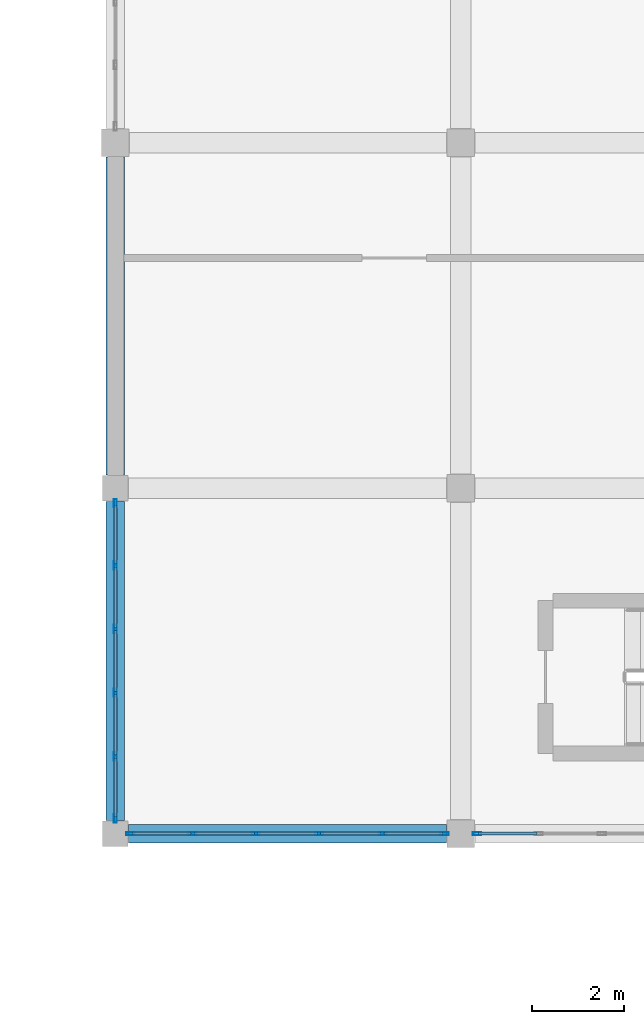
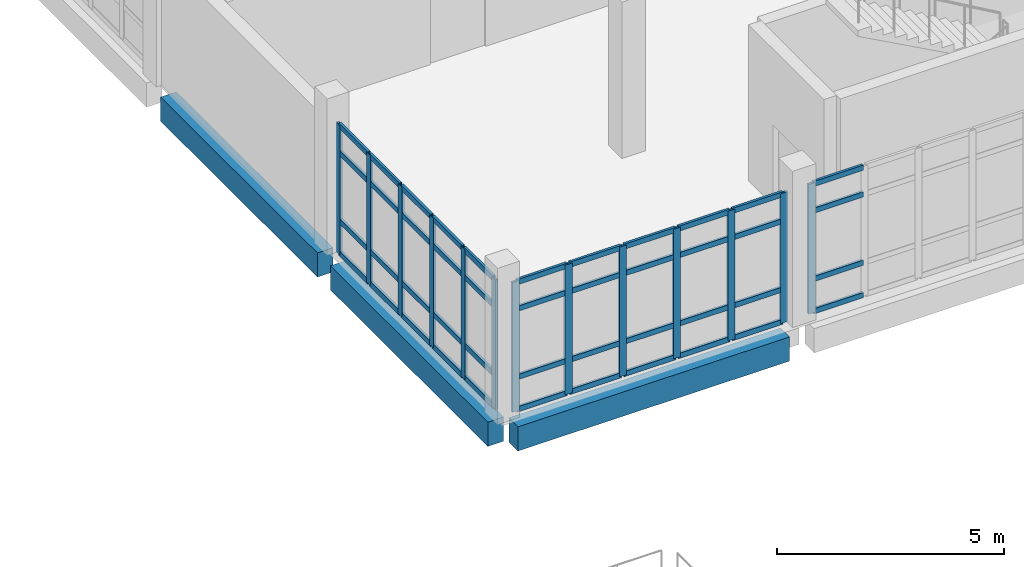
# One storey, part 73 of 164: 57 members, 3 beams, 3 elements without a shape of their own.
"""IFC4 building model written with IfcOpenShell, lengths in metres."""

from ifc_helpers import new_model, si_unit, direction, frame, origin, origin_2d, place, context, subcontext, project, spatial, rectangle, hollow_rectangle, extrude, material, layer, layer_set, material_profile, profile_set, type_object, element, aggregate, save


model = new_model("IFC4")

# Units and contexts
model_context = context("Model", 3, precision=1e-05, world=origin(), true_north=direction((0.0, 1.0)))
body_context = subcontext(model_context, "Body", "Model", "MODEL_VIEW")
ifc_project = project(units=[si_unit("LENGTHUNIT", "METRE"), si_unit("AREAUNIT", "SQUARE_METRE"), si_unit("VOLUMEUNIT", "CUBIC_METRE"), si_unit("PLANEANGLEUNIT", "RADIAN"), si_unit("MASSUNIT", "GRAM", prefix="KILO")], contexts=[model_context])

# Site, building, storey
site_placement = place(None, origin())
site = spatial("IfcSite", under=ifc_project, at=site_placement, CompositionType="ELEMENT")
building_placement = place(site_placement, origin())
building = spatial("IfcBuilding", under=site, at=building_placement, Name="Mawjan Specialist Oncology Clinic", CompositionType="ELEMENT")
storey_placement = place(building_placement, frame((0.0, 0.0, 5.0)))
storey = spatial("IfcBuildingStorey", under=building, at=storey_placement, Name="L01", CompositionType="ELEMENT", Elevation=5.0)

# Curtain wall, member
ifc_material_1 = material(Name="Unitised spectrally selective aluminium curtain wall", Category="aluminium")
ifc_layer_1 = layer(ifc_material_1, 0.179931640625, Name="Unitised spectrally selective aluminium curtain wall", Category="aluminium")
ifc_layer_set_1 = layer_set([ifc_layer_1], Name="Unitised spectrally selective aluminium curtain wall")
curtain_wall_type_1 = type_object("IfcCurtainWallType", Name="CW-60", PredefinedType="NOTDEFINED", material=ifc_layer_set_1)
curtain_wall_1_placement = place(storey_placement, origin())
curtain_wall_1 = element("IfcCurtainWall", 1, at=curtain_wall_1_placement, inside=storey, type_object=curtain_wall_type_1, Name="L01 Unitised Curtain Wall CW-L01-114", PredefinedType="NOTDEFINED")
ifc_material_2 = material(Name="Thermally broken aluminium 6063-T6", Category="aluminium")
ifc_material_profile_1 = material_profile(ifc_material_2, hollow_rectangle(XDim=0.06494140625, YDim=0.179931640625, WallThickness=0.00390625, at=origin_2d()), Name="ALU MULLION 180x65x4", Category="aluminium")
ifc_profile_set_1 = profile_set([ifc_material_profile_1], Name="Thermally broken aluminium 6063-T6")
member_type_1 = type_object("IfcMemberType", Name="CW-M180", PredefinedType="MULLION", material=ifc_profile_set_1)
member_1_placement = place(storey_placement, frame((52.8525390625, 83.300048828125, 0.0), z_axis=(0.0, 0.0, 1.0), x_axis=(0.0, -1.0, 0.0)))
member_1 = element("IfcMember", 2, at=member_1_placement, type_object=member_type_1, Name="CW-60 mullion 6", PredefinedType="MULLION", context=body_context, shape_type="SweptSolid", body=[
    extrude(hollow_rectangle(XDim=0.06494140625, YDim=0.179931640625, WallThickness=0.00390625, at=origin_2d()), origin(), (0.0, 0.0, 1.0), 3.485107421875),
])

# Curtain wall, members
ifc_material_3 = material(Name="Unitised spectrally selective aluminium curtain wall", Category="aluminium")
ifc_layer_2 = layer(ifc_material_3, 0.179931640625, Name="Unitised spectrally selective aluminium curtain wall", Category="aluminium")
ifc_layer_set_2 = layer_set([ifc_layer_2], Name="Unitised spectrally selective aluminium curtain wall")
curtain_wall_type_2 = type_object("IfcCurtainWallType", Name="CW-61", PredefinedType="NOTDEFINED", material=ifc_layer_set_2)
curtain_wall_2_placement = place(storey_placement, origin())
curtain_wall_2 = element("IfcCurtainWall", 3, at=curtain_wall_2_placement, inside=storey, type_object=curtain_wall_type_2, Name="L01 Unitised Curtain Wall CW-L01-115", PredefinedType="NOTDEFINED")
member_2_placement = place(storey_placement, frame((52.1474609375, 83.300048828125, 0.0), z_axis=(0.0, 0.0, 1.0), x_axis=(0.0, -1.0, 0.0)))
member_2 = element("IfcMember", 4, at=member_2_placement, type_object=member_type_1, Name="CW-61 mullion 1", PredefinedType="MULLION", context=body_context, shape_type="SweptSolid", body=[
    extrude(hollow_rectangle(XDim=0.06494140625, YDim=0.179931640625, WallThickness=0.00390625, at=origin_2d()), origin(), (0.0, 0.0, 1.0), 3.485107421875),
])
member_3_placement = place(storey_placement, frame((50.802978515625, 83.300048828125, 0.0), z_axis=(0.0, 0.0, 1.0), x_axis=(0.0, -1.0, 0.0)))
member_3 = element("IfcMember", 5, at=member_3_placement, type_object=member_type_1, Name="CW-61 mullion 2", PredefinedType="MULLION", context=body_context, shape_type="SweptSolid", body=[
    extrude(hollow_rectangle(XDim=0.06494140625, YDim=0.179931640625, WallThickness=0.00390625, at=origin_2d()), origin(), (0.0, 0.0, 1.0), 3.485107421875),
])
member_4_placement = place(storey_placement, frame((49.426025390625, 83.300048828125, 0.0), z_axis=(0.0, 0.0, 1.0), x_axis=(0.0, -1.0, 0.0)))
member_4 = element("IfcMember", 6, at=member_4_placement, type_object=member_type_1, Name="CW-61 mullion 3", PredefinedType="MULLION", context=body_context, shape_type="SweptSolid", body=[
    extrude(hollow_rectangle(XDim=0.06494140625, YDim=0.179931640625, WallThickness=0.00390625, at=origin_2d()), origin(), (0.0, 0.0, 1.0), 3.485107421875),
])
member_5_placement = place(storey_placement, frame((48.049072265625, 83.300048828125, 0.0), z_axis=(0.0, 0.0, 1.0), x_axis=(0.0, -1.0, 0.0)))
member_5 = element("IfcMember", 7, at=member_5_placement, type_object=member_type_1, Name="CW-61 mullion 4", PredefinedType="MULLION", context=body_context, shape_type="SweptSolid", body=[
    extrude(hollow_rectangle(XDim=0.06494140625, YDim=0.179931640625, WallThickness=0.00390625, at=origin_2d()), origin(), (0.0, 0.0, 1.0), 3.485107421875),
])
member_6_placement = place(storey_placement, frame((46.672119140625, 83.300048828125, 0.0), z_axis=(0.0, 0.0, 1.0), x_axis=(0.0, -1.0, 0.0)))
member_6 = element("IfcMember", 8, at=member_6_placement, type_object=member_type_1, Name="CW-61 mullion 5", PredefinedType="MULLION", context=body_context, shape_type="SweptSolid", body=[
    extrude(hollow_rectangle(XDim=0.06494140625, YDim=0.179931640625, WallThickness=0.00390625, at=origin_2d()), origin(), (0.0, 0.0, 1.0), 3.485107421875),
])
member_7_placement = place(storey_placement, frame((45.327392578125, 83.300048828125, 0.0), z_axis=(0.0, 0.0, 1.0), x_axis=(0.0, -1.0, 0.0)))
member_7 = element("IfcMember", 9, at=member_7_placement, type_object=member_type_1, Name="CW-61 mullion 6", PredefinedType="MULLION", context=body_context, shape_type="SweptSolid", body=[
    extrude(hollow_rectangle(XDim=0.06494140625, YDim=0.179931640625, WallThickness=0.00390625, at=origin_2d()), origin(), (0.0, 0.0, 1.0), 3.485107421875),
])

ifc_material_4 = material(Name="Unitised spectrally selective aluminium curtain wall", Category="aluminium")
ifc_layer_3 = layer(ifc_material_4, 0.179931640625, Name="Unitised spectrally selective aluminium curtain wall", Category="aluminium")
ifc_layer_set_3 = layer_set([ifc_layer_3], Name="Unitised spectrally selective aluminium curtain wall")
curtain_wall_type_3 = type_object("IfcCurtainWallType", Name="CW-52", PredefinedType="NOTDEFINED", material=ifc_layer_set_3)
curtain_wall_3_placement = place(storey_placement, origin())
curtain_wall_3 = element("IfcCurtainWall", 10, at=curtain_wall_3_placement, inside=storey, type_object=curtain_wall_type_3, Name="L01 Unitised Curtain Wall CW-L01-116", PredefinedType="NOTDEFINED")
member_8_placement = place(storey_placement, frame((45.0, 83.62744140625, 0.0), z_axis=(0.0, 0.0, 1.0), x_axis=(-1.0, 0.0, 0.0)))
member_8 = element("IfcMember", 11, at=member_8_placement, type_object=member_type_1, Name="CW-52 mullion 1", PredefinedType="MULLION", context=body_context, shape_type="SweptSolid", body=[
    extrude(hollow_rectangle(XDim=0.06494140625, YDim=0.179931640625, WallThickness=0.00390625, at=origin_2d()), origin(), (0.0, 0.0, 1.0), 3.485107421875),
])
member_9_placement = place(storey_placement, frame((45.0, 84.97705078125, 0.0), z_axis=(0.0, 0.0, 1.0), x_axis=(-1.0, 0.0, 0.0)))
member_9 = element("IfcMember", 12, at=member_9_placement, type_object=member_type_1, Name="CW-52 mullion 2", PredefinedType="MULLION", context=body_context, shape_type="SweptSolid", body=[
    extrude(hollow_rectangle(XDim=0.06494140625, YDim=0.179931640625, WallThickness=0.00390625, at=origin_2d()), origin(), (0.0, 0.0, 1.0), 3.485107421875),
])
member_10_placement = place(storey_placement, frame((45.0, 86.35888671875, 0.0), z_axis=(0.0, 0.0, 1.0), x_axis=(-1.0, 0.0, 0.0)))
member_10 = element("IfcMember", 13, at=member_10_placement, type_object=member_type_1, Name="CW-52 mullion 3", PredefinedType="MULLION", context=body_context, shape_type="SweptSolid", body=[
    extrude(hollow_rectangle(XDim=0.06494140625, YDim=0.179931640625, WallThickness=0.00390625, at=origin_2d()), origin(), (0.0, 0.0, 1.0), 3.485107421875),
])
member_11_placement = place(storey_placement, frame((45.0, 87.740966796875, 0.0), z_axis=(0.0, 0.0, 1.0), x_axis=(-1.0, 0.0, 0.0)))
member_11 = element("IfcMember", 14, at=member_11_placement, type_object=member_type_1, Name="CW-52 mullion 4", PredefinedType="MULLION", context=body_context, shape_type="SweptSolid", body=[
    extrude(hollow_rectangle(XDim=0.06494140625, YDim=0.179931640625, WallThickness=0.00390625, at=origin_2d()), origin(), (0.0, 0.0, 1.0), 3.485107421875),
])
member_12_placement = place(storey_placement, frame((45.0, 89.123046875, 0.0), z_axis=(0.0, 0.0, 1.0), x_axis=(-1.0, 0.0, 0.0)))
member_12 = element("IfcMember", 15, at=member_12_placement, type_object=member_type_1, Name="CW-52 mullion 5", PredefinedType="MULLION", context=body_context, shape_type="SweptSolid", body=[
    extrude(hollow_rectangle(XDim=0.06494140625, YDim=0.179931640625, WallThickness=0.00390625, at=origin_2d()), origin(), (0.0, 0.0, 1.0), 3.485107421875),
])
member_13_placement = place(storey_placement, frame((45.0, 90.472412109375, 0.0), z_axis=(0.0, 0.0, 1.0), x_axis=(-1.0, 0.0, 0.0)))
member_13 = element("IfcMember", 16, at=member_13_placement, type_object=member_type_1, Name="CW-52 mullion 6", PredefinedType="MULLION", context=body_context, shape_type="SweptSolid", body=[
    extrude(hollow_rectangle(XDim=0.06494140625, YDim=0.179931640625, WallThickness=0.00390625, at=origin_2d()), origin(), (0.0, 0.0, 1.0), 3.485107421875),
])

# Member
ifc_material_5 = material(Name="Thermally broken aluminium 6063-T6", Category="aluminium")
ifc_material_profile_2 = material_profile(ifc_material_5, hollow_rectangle(XDim=0.06494140625, YDim=0.139892578125, WallThickness=0.00390625, at=origin_2d()), Name="ALU TRANSOM 140x65x4", Category="aluminium")
ifc_profile_set_2 = profile_set([ifc_material_profile_2], Name="Thermally broken aluminium 6063-T6")
member_type_2 = type_object("IfcMemberType", Name="CW-T140", PredefinedType="USERDEFINED", material=ifc_profile_set_2)
member_14_placement = place(storey_placement, frame((54.159423828125, 83.300048828125, 0.032470703125), z_axis=(-1.0, 0.0, 0.0), x_axis=(0.0, -1.0, 0.0)))
member_14 = element("IfcMember", 17, at=member_14_placement, type_object=member_type_2, Name="CW-60 transom 5.1", ObjectType="TRANSOM", PredefinedType="USERDEFINED", context=body_context, shape_type="SweptSolid", body=[
    extrude(hollow_rectangle(XDim=0.06494140625, YDim=0.139892578125, WallThickness=0.00390625, at=origin_2d()), origin(), (0.0, 0.0, 1.0), 1.2744140625),
])

member_15_placement = place(storey_placement, frame((54.159423828125, 83.300048828125, 0.89990234375), z_axis=(-1.0, 0.0, 0.0), x_axis=(0.0, -1.0, 0.0)))
member_15 = element("IfcMember", 18, at=member_15_placement, type_object=member_type_2, Name="CW-60 transom 5.2", ObjectType="TRANSOM", PredefinedType="USERDEFINED", context=body_context, shape_type="SweptSolid", body=[
    extrude(hollow_rectangle(XDim=0.06494140625, YDim=0.139892578125, WallThickness=0.00390625, at=origin_2d()), origin(), (0.0, 0.0, 1.0), 1.2744140625),
])

member_16_placement = place(storey_placement, frame((54.159423828125, 83.300048828125, 2.735107421875), z_axis=(-1.0, 0.0, 0.0), x_axis=(0.0, -1.0, 0.0)))
member_16 = element("IfcMember", 19, at=member_16_placement, type_object=member_type_2, Name="CW-60 transom 5.3", ObjectType="TRANSOM", PredefinedType="USERDEFINED", context=body_context, shape_type="SweptSolid", body=[
    extrude(hollow_rectangle(XDim=0.06494140625, YDim=0.139892578125, WallThickness=0.00390625, at=origin_2d()), origin(), (0.0, 0.0, 1.0), 1.2744140625),
])

member_17_placement = place(storey_placement, frame((54.159423828125, 83.300048828125, 3.452392578125), z_axis=(-1.0, 0.0, 0.0), x_axis=(0.0, -1.0, 0.0)))
member_17 = element("IfcMember", 20, at=member_17_placement, type_object=member_type_2, Name="CW-60 transom 5.4", ObjectType="TRANSOM", PredefinedType="USERDEFINED", context=body_context, shape_type="SweptSolid", body=[
    extrude(hollow_rectangle(XDim=0.06494140625, YDim=0.139892578125, WallThickness=0.00390625, at=origin_2d()), origin(), (0.0, 0.0, 1.0), 1.2744140625),
])

aggregate(curtain_wall_1, [member_1, member_14, member_15, member_16, member_17])

member_18_placement = place(storey_placement, frame((52.114990234375, 83.300048828125, 0.032470703125), z_axis=(-1.0, 0.0, 0.0), x_axis=(0.0, -1.0, 0.0)))
member_18 = element("IfcMember", 21, at=member_18_placement, type_object=member_type_2, Name="CW-61 transom 1.1", ObjectType="TRANSOM", PredefinedType="USERDEFINED", context=body_context, shape_type="SweptSolid", body=[
    extrude(hollow_rectangle(XDim=0.06494140625, YDim=0.139892578125, WallThickness=0.00390625, at=origin_2d()), origin(), (0.0, 0.0, 1.0), 1.279541015625),
])

member_19_placement = place(storey_placement, frame((52.114990234375, 83.300048828125, 0.89990234375), z_axis=(-1.0, 0.0, 0.0), x_axis=(0.0, -1.0, 0.0)))
member_19 = element("IfcMember", 22, at=member_19_placement, type_object=member_type_2, Name="CW-61 transom 1.2", ObjectType="TRANSOM", PredefinedType="USERDEFINED", context=body_context, shape_type="SweptSolid", body=[
    extrude(hollow_rectangle(XDim=0.06494140625, YDim=0.139892578125, WallThickness=0.00390625, at=origin_2d()), origin(), (0.0, 0.0, 1.0), 1.279541015625),
])

member_20_placement = place(storey_placement, frame((52.114990234375, 83.300048828125, 2.735107421875), z_axis=(-1.0, 0.0, 0.0), x_axis=(0.0, -1.0, 0.0)))
member_20 = element("IfcMember", 23, at=member_20_placement, type_object=member_type_2, Name="CW-61 transom 1.3", ObjectType="TRANSOM", PredefinedType="USERDEFINED", context=body_context, shape_type="SweptSolid", body=[
    extrude(hollow_rectangle(XDim=0.06494140625, YDim=0.139892578125, WallThickness=0.00390625, at=origin_2d()), origin(), (0.0, 0.0, 1.0), 1.279541015625),
])

member_21_placement = place(storey_placement, frame((52.114990234375, 83.300048828125, 3.452392578125), z_axis=(-1.0, 0.0, 0.0), x_axis=(0.0, -1.0, 0.0)))
member_21 = element("IfcMember", 24, at=member_21_placement, type_object=member_type_2, Name="CW-61 transom 1.4", ObjectType="TRANSOM", PredefinedType="USERDEFINED", context=body_context, shape_type="SweptSolid", body=[
    extrude(hollow_rectangle(XDim=0.06494140625, YDim=0.139892578125, WallThickness=0.00390625, at=origin_2d()), origin(), (0.0, 0.0, 1.0), 1.279541015625),
])

member_22_placement = place(storey_placement, frame((50.7705078125, 83.300048828125, 0.032470703125), z_axis=(-1.0, 0.0, 0.0), x_axis=(0.0, -1.0, 0.0)))
member_22 = element("IfcMember", 25, at=member_22_placement, type_object=member_type_2, Name="CW-61 transom 2.1", ObjectType="TRANSOM", PredefinedType="USERDEFINED", context=body_context, shape_type="SweptSolid", body=[
    extrude(hollow_rectangle(XDim=0.06494140625, YDim=0.139892578125, WallThickness=0.00390625, at=origin_2d()), origin(), (0.0, 0.0, 1.0), 1.31201171875),
])

member_23_placement = place(storey_placement, frame((50.7705078125, 83.300048828125, 0.89990234375), z_axis=(-1.0, 0.0, 0.0), x_axis=(0.0, -1.0, 0.0)))
member_23 = element("IfcMember", 26, at=member_23_placement, type_object=member_type_2, Name="CW-61 transom 2.2", ObjectType="TRANSOM", PredefinedType="USERDEFINED", context=body_context, shape_type="SweptSolid", body=[
    extrude(hollow_rectangle(XDim=0.06494140625, YDim=0.139892578125, WallThickness=0.00390625, at=origin_2d()), origin(), (0.0, 0.0, 1.0), 1.31201171875),
])

member_24_placement = place(storey_placement, frame((50.7705078125, 83.300048828125, 2.735107421875), z_axis=(-1.0, 0.0, 0.0), x_axis=(0.0, -1.0, 0.0)))
member_24 = element("IfcMember", 27, at=member_24_placement, type_object=member_type_2, Name="CW-61 transom 2.3", ObjectType="TRANSOM", PredefinedType="USERDEFINED", context=body_context, shape_type="SweptSolid", body=[
    extrude(hollow_rectangle(XDim=0.06494140625, YDim=0.139892578125, WallThickness=0.00390625, at=origin_2d()), origin(), (0.0, 0.0, 1.0), 1.31201171875),
])

member_25_placement = place(storey_placement, frame((50.7705078125, 83.300048828125, 3.452392578125), z_axis=(-1.0, 0.0, 0.0), x_axis=(0.0, -1.0, 0.0)))
member_25 = element("IfcMember", 28, at=member_25_placement, type_object=member_type_2, Name="CW-61 transom 2.4", ObjectType="TRANSOM", PredefinedType="USERDEFINED", context=body_context, shape_type="SweptSolid", body=[
    extrude(hollow_rectangle(XDim=0.06494140625, YDim=0.139892578125, WallThickness=0.00390625, at=origin_2d()), origin(), (0.0, 0.0, 1.0), 1.31201171875),
])

member_26_placement = place(storey_placement, frame((49.3935546875, 83.300048828125, 0.032470703125), z_axis=(-1.0, 0.0, 0.0), x_axis=(0.0, -1.0, 0.0)))
member_26 = element("IfcMember", 29, at=member_26_placement, type_object=member_type_2, Name="CW-61 transom 3.1", ObjectType="TRANSOM", PredefinedType="USERDEFINED", context=body_context, shape_type="SweptSolid", body=[
    extrude(hollow_rectangle(XDim=0.06494140625, YDim=0.139892578125, WallThickness=0.00390625, at=origin_2d()), origin(), (0.0, 0.0, 1.0), 1.31201171875),
])

member_27_placement = place(storey_placement, frame((49.3935546875, 83.300048828125, 0.89990234375), z_axis=(-1.0, 0.0, 0.0), x_axis=(0.0, -1.0, 0.0)))
member_27 = element("IfcMember", 30, at=member_27_placement, type_object=member_type_2, Name="CW-61 transom 3.2", ObjectType="TRANSOM", PredefinedType="USERDEFINED", context=body_context, shape_type="SweptSolid", body=[
    extrude(hollow_rectangle(XDim=0.06494140625, YDim=0.139892578125, WallThickness=0.00390625, at=origin_2d()), origin(), (0.0, 0.0, 1.0), 1.31201171875),
])

member_28_placement = place(storey_placement, frame((49.3935546875, 83.300048828125, 2.735107421875), z_axis=(-1.0, 0.0, 0.0), x_axis=(0.0, -1.0, 0.0)))
member_28 = element("IfcMember", 31, at=member_28_placement, type_object=member_type_2, Name="CW-61 transom 3.3", ObjectType="TRANSOM", PredefinedType="USERDEFINED", context=body_context, shape_type="SweptSolid", body=[
    extrude(hollow_rectangle(XDim=0.06494140625, YDim=0.139892578125, WallThickness=0.00390625, at=origin_2d()), origin(), (0.0, 0.0, 1.0), 1.31201171875),
])

member_29_placement = place(storey_placement, frame((49.3935546875, 83.300048828125, 3.452392578125), z_axis=(-1.0, 0.0, 0.0), x_axis=(0.0, -1.0, 0.0)))
member_29 = element("IfcMember", 32, at=member_29_placement, type_object=member_type_2, Name="CW-61 transom 3.4", ObjectType="TRANSOM", PredefinedType="USERDEFINED", context=body_context, shape_type="SweptSolid", body=[
    extrude(hollow_rectangle(XDim=0.06494140625, YDim=0.139892578125, WallThickness=0.00390625, at=origin_2d()), origin(), (0.0, 0.0, 1.0), 1.31201171875),
])

member_30_placement = place(storey_placement, frame((48.0166015625, 83.300048828125, 0.032470703125), z_axis=(-1.0, 0.0, 0.0), x_axis=(0.0, -1.0, 0.0)))
member_30 = element("IfcMember", 33, at=member_30_placement, type_object=member_type_2, Name="CW-61 transom 4.1", ObjectType="TRANSOM", PredefinedType="USERDEFINED", context=body_context, shape_type="SweptSolid", body=[
    extrude(hollow_rectangle(XDim=0.06494140625, YDim=0.139892578125, WallThickness=0.00390625, at=origin_2d()), origin(), (0.0, 0.0, 1.0), 1.31201171875),
])

member_31_placement = place(storey_placement, frame((48.0166015625, 83.300048828125, 0.89990234375), z_axis=(-1.0, 0.0, 0.0), x_axis=(0.0, -1.0, 0.0)))
member_31 = element("IfcMember", 34, at=member_31_placement, type_object=member_type_2, Name="CW-61 transom 4.2", ObjectType="TRANSOM", PredefinedType="USERDEFINED", context=body_context, shape_type="SweptSolid", body=[
    extrude(hollow_rectangle(XDim=0.06494140625, YDim=0.139892578125, WallThickness=0.00390625, at=origin_2d()), origin(), (0.0, 0.0, 1.0), 1.31201171875),
])

member_32_placement = place(storey_placement, frame((48.0166015625, 83.300048828125, 2.735107421875), z_axis=(-1.0, 0.0, 0.0), x_axis=(0.0, -1.0, 0.0)))
member_32 = element("IfcMember", 35, at=member_32_placement, type_object=member_type_2, Name="CW-61 transom 4.3", ObjectType="TRANSOM", PredefinedType="USERDEFINED", context=body_context, shape_type="SweptSolid", body=[
    extrude(hollow_rectangle(XDim=0.06494140625, YDim=0.139892578125, WallThickness=0.00390625, at=origin_2d()), origin(), (0.0, 0.0, 1.0), 1.31201171875),
])

member_33_placement = place(storey_placement, frame((48.0166015625, 83.300048828125, 3.452392578125), z_axis=(-1.0, 0.0, 0.0), x_axis=(0.0, -1.0, 0.0)))
member_33 = element("IfcMember", 36, at=member_33_placement, type_object=member_type_2, Name="CW-61 transom 4.4", ObjectType="TRANSOM", PredefinedType="USERDEFINED", context=body_context, shape_type="SweptSolid", body=[
    extrude(hollow_rectangle(XDim=0.06494140625, YDim=0.139892578125, WallThickness=0.00390625, at=origin_2d()), origin(), (0.0, 0.0, 1.0), 1.31201171875),
])

member_34_placement = place(storey_placement, frame((46.639404296875, 83.300048828125, 0.032470703125), z_axis=(-1.0, 0.0, 0.0), x_axis=(0.0, -1.0, 0.0)))
member_34 = element("IfcMember", 37, at=member_34_placement, type_object=member_type_2, Name="CW-61 transom 5.1", ObjectType="TRANSOM", PredefinedType="USERDEFINED", context=body_context, shape_type="SweptSolid", body=[
    extrude(hollow_rectangle(XDim=0.06494140625, YDim=0.139892578125, WallThickness=0.00390625, at=origin_2d()), origin(), (0.0, 0.0, 1.0), 1.279296875),
])

member_35_placement = place(storey_placement, frame((46.639404296875, 83.300048828125, 0.89990234375), z_axis=(-1.0, 0.0, 0.0), x_axis=(0.0, -1.0, 0.0)))
member_35 = element("IfcMember", 38, at=member_35_placement, type_object=member_type_2, Name="CW-61 transom 5.2", ObjectType="TRANSOM", PredefinedType="USERDEFINED", context=body_context, shape_type="SweptSolid", body=[
    extrude(hollow_rectangle(XDim=0.06494140625, YDim=0.139892578125, WallThickness=0.00390625, at=origin_2d()), origin(), (0.0, 0.0, 1.0), 1.279296875),
])

member_36_placement = place(storey_placement, frame((46.639404296875, 83.300048828125, 2.735107421875), z_axis=(-1.0, 0.0, 0.0), x_axis=(0.0, -1.0, 0.0)))
member_36 = element("IfcMember", 39, at=member_36_placement, type_object=member_type_2, Name="CW-61 transom 5.3", ObjectType="TRANSOM", PredefinedType="USERDEFINED", context=body_context, shape_type="SweptSolid", body=[
    extrude(hollow_rectangle(XDim=0.06494140625, YDim=0.139892578125, WallThickness=0.00390625, at=origin_2d()), origin(), (0.0, 0.0, 1.0), 1.279296875),
])

member_37_placement = place(storey_placement, frame((46.639404296875, 83.300048828125, 3.452392578125), z_axis=(-1.0, 0.0, 0.0), x_axis=(0.0, -1.0, 0.0)))
member_37 = element("IfcMember", 40, at=member_37_placement, type_object=member_type_2, Name="CW-61 transom 5.4", ObjectType="TRANSOM", PredefinedType="USERDEFINED", context=body_context, shape_type="SweptSolid", body=[
    extrude(hollow_rectangle(XDim=0.06494140625, YDim=0.139892578125, WallThickness=0.00390625, at=origin_2d()), origin(), (0.0, 0.0, 1.0), 1.279296875),
])

aggregate(curtain_wall_2, [member_2, member_3, member_4, member_5, member_6, member_7, member_18, member_19, member_20, member_21, member_22, member_23, member_24, member_25, member_26, member_27, member_28, member_29, member_30, member_31, member_32, member_33, member_34, member_35, member_36, member_37])

member_38_placement = place(storey_placement, frame((45.0, 83.659912109375, 0.032470703125), z_axis=(0.0, 1.0, 0.0), x_axis=(-1.0, 0.0, 0.0)))
member_38 = element("IfcMember", 41, at=member_38_placement, type_object=member_type_2, Name="CW-52 transom 1.1", ObjectType="TRANSOM", PredefinedType="USERDEFINED", context=body_context, shape_type="SweptSolid", body=[
    extrude(hollow_rectangle(XDim=0.06494140625, YDim=0.139892578125, WallThickness=0.00390625, at=origin_2d()), origin(), (0.0, 0.0, 1.0), 1.28466796875),
])

member_39_placement = place(storey_placement, frame((45.0, 83.659912109375, 0.89990234375), z_axis=(0.0, 1.0, 0.0), x_axis=(-1.0, 0.0, 0.0)))
member_39 = element("IfcMember", 42, at=member_39_placement, type_object=member_type_2, Name="CW-52 transom 1.2", ObjectType="TRANSOM", PredefinedType="USERDEFINED", context=body_context, shape_type="SweptSolid", body=[
    extrude(hollow_rectangle(XDim=0.06494140625, YDim=0.139892578125, WallThickness=0.00390625, at=origin_2d()), origin(), (0.0, 0.0, 1.0), 1.28466796875),
])

member_40_placement = place(storey_placement, frame((45.0, 83.659912109375, 2.735107421875), z_axis=(0.0, 1.0, 0.0), x_axis=(-1.0, 0.0, 0.0)))
member_40 = element("IfcMember", 43, at=member_40_placement, type_object=member_type_2, Name="CW-52 transom 1.3", ObjectType="TRANSOM", PredefinedType="USERDEFINED", context=body_context, shape_type="SweptSolid", body=[
    extrude(hollow_rectangle(XDim=0.06494140625, YDim=0.139892578125, WallThickness=0.00390625, at=origin_2d()), origin(), (0.0, 0.0, 1.0), 1.28466796875),
])

member_41_placement = place(storey_placement, frame((45.0, 83.659912109375, 3.452392578125), z_axis=(0.0, 1.0, 0.0), x_axis=(-1.0, 0.0, 0.0)))
member_41 = element("IfcMember", 44, at=member_41_placement, type_object=member_type_2, Name="CW-52 transom 1.4", ObjectType="TRANSOM", PredefinedType="USERDEFINED", context=body_context, shape_type="SweptSolid", body=[
    extrude(hollow_rectangle(XDim=0.06494140625, YDim=0.139892578125, WallThickness=0.00390625, at=origin_2d()), origin(), (0.0, 0.0, 1.0), 1.28466796875),
])

member_42_placement = place(storey_placement, frame((45.0, 85.009521484375, 0.032470703125), z_axis=(0.0, 1.0, 0.0), x_axis=(-1.0, 0.0, 0.0)))
member_42 = element("IfcMember", 45, at=member_42_placement, type_object=member_type_2, Name="CW-52 transom 2.1", ObjectType="TRANSOM", PredefinedType="USERDEFINED", context=body_context, shape_type="SweptSolid", body=[
    extrude(hollow_rectangle(XDim=0.06494140625, YDim=0.139892578125, WallThickness=0.00390625, at=origin_2d()), origin(), (0.0, 0.0, 1.0), 1.31689453125),
])

member_43_placement = place(storey_placement, frame((45.0, 85.009521484375, 0.89990234375), z_axis=(0.0, 1.0, 0.0), x_axis=(-1.0, 0.0, 0.0)))
member_43 = element("IfcMember", 46, at=member_43_placement, type_object=member_type_2, Name="CW-52 transom 2.2", ObjectType="TRANSOM", PredefinedType="USERDEFINED", context=body_context, shape_type="SweptSolid", body=[
    extrude(hollow_rectangle(XDim=0.06494140625, YDim=0.139892578125, WallThickness=0.00390625, at=origin_2d()), origin(), (0.0, 0.0, 1.0), 1.31689453125),
])

member_44_placement = place(storey_placement, frame((45.0, 85.009521484375, 2.735107421875), z_axis=(0.0, 1.0, 0.0), x_axis=(-1.0, 0.0, 0.0)))
member_44 = element("IfcMember", 47, at=member_44_placement, type_object=member_type_2, Name="CW-52 transom 2.3", ObjectType="TRANSOM", PredefinedType="USERDEFINED", context=body_context, shape_type="SweptSolid", body=[
    extrude(hollow_rectangle(XDim=0.06494140625, YDim=0.139892578125, WallThickness=0.00390625, at=origin_2d()), origin(), (0.0, 0.0, 1.0), 1.31689453125),
])

member_45_placement = place(storey_placement, frame((45.0, 85.009521484375, 3.452392578125), z_axis=(0.0, 1.0, 0.0), x_axis=(-1.0, 0.0, 0.0)))
member_45 = element("IfcMember", 48, at=member_45_placement, type_object=member_type_2, Name="CW-52 transom 2.4", ObjectType="TRANSOM", PredefinedType="USERDEFINED", context=body_context, shape_type="SweptSolid", body=[
    extrude(hollow_rectangle(XDim=0.06494140625, YDim=0.139892578125, WallThickness=0.00390625, at=origin_2d()), origin(), (0.0, 0.0, 1.0), 1.31689453125),
])

member_46_placement = place(storey_placement, frame((45.0, 86.3916015625, 0.032470703125), z_axis=(0.0, 1.0, 0.0), x_axis=(-1.0, 0.0, 0.0)))
member_46 = element("IfcMember", 49, at=member_46_placement, type_object=member_type_2, Name="CW-52 transom 3.1", ObjectType="TRANSOM", PredefinedType="USERDEFINED", context=body_context, shape_type="SweptSolid", body=[
    extrude(hollow_rectangle(XDim=0.06494140625, YDim=0.139892578125, WallThickness=0.00390625, at=origin_2d()), origin(), (0.0, 0.0, 1.0), 1.31689453125),
])

member_47_placement = place(storey_placement, frame((45.0, 86.3916015625, 0.89990234375), z_axis=(0.0, 1.0, 0.0), x_axis=(-1.0, 0.0, 0.0)))
member_47 = element("IfcMember", 50, at=member_47_placement, type_object=member_type_2, Name="CW-52 transom 3.2", ObjectType="TRANSOM", PredefinedType="USERDEFINED", context=body_context, shape_type="SweptSolid", body=[
    extrude(hollow_rectangle(XDim=0.06494140625, YDim=0.139892578125, WallThickness=0.00390625, at=origin_2d()), origin(), (0.0, 0.0, 1.0), 1.31689453125),
])

member_48_placement = place(storey_placement, frame((45.0, 86.3916015625, 2.735107421875), z_axis=(0.0, 1.0, 0.0), x_axis=(-1.0, 0.0, 0.0)))
member_48 = element("IfcMember", 51, at=member_48_placement, type_object=member_type_2, Name="CW-52 transom 3.3", ObjectType="TRANSOM", PredefinedType="USERDEFINED", context=body_context, shape_type="SweptSolid", body=[
    extrude(hollow_rectangle(XDim=0.06494140625, YDim=0.139892578125, WallThickness=0.00390625, at=origin_2d()), origin(), (0.0, 0.0, 1.0), 1.31689453125),
])

member_49_placement = place(storey_placement, frame((45.0, 86.3916015625, 3.452392578125), z_axis=(0.0, 1.0, 0.0), x_axis=(-1.0, 0.0, 0.0)))
member_49 = element("IfcMember", 52, at=member_49_placement, type_object=member_type_2, Name="CW-52 transom 3.4", ObjectType="TRANSOM", PredefinedType="USERDEFINED", context=body_context, shape_type="SweptSolid", body=[
    extrude(hollow_rectangle(XDim=0.06494140625, YDim=0.139892578125, WallThickness=0.00390625, at=origin_2d()), origin(), (0.0, 0.0, 1.0), 1.31689453125),
])

member_50_placement = place(storey_placement, frame((45.0, 87.7734375, 0.032470703125), z_axis=(0.0, 1.0, 0.0), x_axis=(-1.0, 0.0, 0.0)))
member_50 = element("IfcMember", 53, at=member_50_placement, type_object=member_type_2, Name="CW-52 transom 4.1", ObjectType="TRANSOM", PredefinedType="USERDEFINED", context=body_context, shape_type="SweptSolid", body=[
    extrude(hollow_rectangle(XDim=0.06494140625, YDim=0.139892578125, WallThickness=0.00390625, at=origin_2d()), origin(), (0.0, 0.0, 1.0), 1.317138671875),
])

member_51_placement = place(storey_placement, frame((45.0, 87.7734375, 0.89990234375), z_axis=(0.0, 1.0, 0.0), x_axis=(-1.0, 0.0, 0.0)))
member_51 = element("IfcMember", 54, at=member_51_placement, type_object=member_type_2, Name="CW-52 transom 4.2", ObjectType="TRANSOM", PredefinedType="USERDEFINED", context=body_context, shape_type="SweptSolid", body=[
    extrude(hollow_rectangle(XDim=0.06494140625, YDim=0.139892578125, WallThickness=0.00390625, at=origin_2d()), origin(), (0.0, 0.0, 1.0), 1.317138671875),
])

member_52_placement = place(storey_placement, frame((45.0, 87.7734375, 2.735107421875), z_axis=(0.0, 1.0, 0.0), x_axis=(-1.0, 0.0, 0.0)))
member_52 = element("IfcMember", 55, at=member_52_placement, type_object=member_type_2, Name="CW-52 transom 4.3", ObjectType="TRANSOM", PredefinedType="USERDEFINED", context=body_context, shape_type="SweptSolid", body=[
    extrude(hollow_rectangle(XDim=0.06494140625, YDim=0.139892578125, WallThickness=0.00390625, at=origin_2d()), origin(), (0.0, 0.0, 1.0), 1.317138671875),
])

member_53_placement = place(storey_placement, frame((45.0, 87.7734375, 3.452392578125), z_axis=(0.0, 1.0, 0.0), x_axis=(-1.0, 0.0, 0.0)))
member_53 = element("IfcMember", 56, at=member_53_placement, type_object=member_type_2, Name="CW-52 transom 4.4", ObjectType="TRANSOM", PredefinedType="USERDEFINED", context=body_context, shape_type="SweptSolid", body=[
    extrude(hollow_rectangle(XDim=0.06494140625, YDim=0.139892578125, WallThickness=0.00390625, at=origin_2d()), origin(), (0.0, 0.0, 1.0), 1.317138671875),
])

member_54_placement = place(storey_placement, frame((45.0, 89.155517578125, 0.032470703125), z_axis=(0.0, 1.0, 0.0), x_axis=(-1.0, 0.0, 0.0)))
member_54 = element("IfcMember", 57, at=member_54_placement, type_object=member_type_2, Name="CW-52 transom 5.1", ObjectType="TRANSOM", PredefinedType="USERDEFINED", context=body_context, shape_type="SweptSolid", body=[
    extrude(hollow_rectangle(XDim=0.06494140625, YDim=0.139892578125, WallThickness=0.00390625, at=origin_2d()), origin(), (0.0, 0.0, 1.0), 1.284423828125),
])

member_55_placement = place(storey_placement, frame((45.0, 89.155517578125, 0.89990234375), z_axis=(0.0, 1.0, 0.0), x_axis=(-1.0, 0.0, 0.0)))
member_55 = element("IfcMember", 58, at=member_55_placement, type_object=member_type_2, Name="CW-52 transom 5.2", ObjectType="TRANSOM", PredefinedType="USERDEFINED", context=body_context, shape_type="SweptSolid", body=[
    extrude(hollow_rectangle(XDim=0.06494140625, YDim=0.139892578125, WallThickness=0.00390625, at=origin_2d()), origin(), (0.0, 0.0, 1.0), 1.284423828125),
])

member_56_placement = place(storey_placement, frame((45.0, 89.155517578125, 2.735107421875), z_axis=(0.0, 1.0, 0.0), x_axis=(-1.0, 0.0, 0.0)))
member_56 = element("IfcMember", 59, at=member_56_placement, type_object=member_type_2, Name="CW-52 transom 5.3", ObjectType="TRANSOM", PredefinedType="USERDEFINED", context=body_context, shape_type="SweptSolid", body=[
    extrude(hollow_rectangle(XDim=0.06494140625, YDim=0.139892578125, WallThickness=0.00390625, at=origin_2d()), origin(), (0.0, 0.0, 1.0), 1.284423828125),
])

member_57_placement = place(storey_placement, frame((45.0, 89.155517578125, 3.452392578125), z_axis=(0.0, 1.0, 0.0), x_axis=(-1.0, 0.0, 0.0)))
member_57 = element("IfcMember", 60, at=member_57_placement, type_object=member_type_2, Name="CW-52 transom 5.4", ObjectType="TRANSOM", PredefinedType="USERDEFINED", context=body_context, shape_type="SweptSolid", body=[
    extrude(hollow_rectangle(XDim=0.06494140625, YDim=0.139892578125, WallThickness=0.00390625, at=origin_2d()), origin(), (0.0, 0.0, 1.0), 1.284423828125),
])

aggregate(curtain_wall_3, [member_8, member_9, member_10, member_11, member_12, member_13, member_38, member_39, member_40, member_41, member_42, member_43, member_44, member_45, member_46, member_47, member_48, member_49, member_50, member_51, member_52, member_53, member_54, member_55, member_56, member_57])

# Beams
ifc_material_6 = material(Name="Concrete C45/55", Category="concrete")
ifc_material_profile_3 = material_profile(ifc_material_6, rectangle(XDim=0.39990234375, YDim=0.64990234375, at=origin_2d()), Name="RC BM 400x650", Category="concrete")
ifc_profile_set_3 = profile_set([ifc_material_profile_3], Name="Concrete C45/55")
beam_type = type_object("IfcBeamType", Name="SP-400x650", PredefinedType="SPANDREL", material=ifc_profile_set_3)
beam_1_placement = place(storey_placement, frame((45.284912109375, 83.300048828125, -0.625), z_axis=(1.0, 0.0, 0.0), x_axis=(0.0, 1.0, 0.0)))
element("IfcBeam", 61, at=beam_1_placement, inside=storey, type_object=beam_type, Name="L01 Spandrel Beam BM-L01-0341", PredefinedType="SPANDREL", context=body_context, shape_type="SweptSolid", body=[
    extrude(rectangle(XDim=0.39990234375, YDim=0.64990234375, at=origin_2d()), origin(), (0.0, 0.0, 1.0), 6.905029296875),
])
beam_2_placement = place(storey_placement, frame((45.0, 83.5849609375, -0.625), z_axis=(0.0, 1.0, 0.0), x_axis=(-1.0, 0.0, 0.0)))
element("IfcBeam", 62, at=beam_2_placement, inside=storey, type_object=beam_type, Name="L01 Spandrel Beam BM-L01-0479", PredefinedType="SPANDREL", context=body_context, shape_type="SweptSolid", body=[
    extrude(rectangle(XDim=0.39990234375, YDim=0.64990234375, at=origin_2d()), origin(), (0.0, 0.0, 1.0), 6.929931640625),
])
beam_3_placement = place(storey_placement, frame((45.0, 91.0849609375, -0.625), z_axis=(0.0, 1.0, 0.0), x_axis=(-1.0, 0.0, 0.0)))
element("IfcBeam", 63, at=beam_3_placement, inside=storey, type_object=beam_type, Name="L01 Spandrel Beam BM-L01-0480", PredefinedType="SPANDREL", context=body_context, shape_type="SweptSolid", body=[
    extrude(rectangle(XDim=0.39990234375, YDim=0.64990234375, at=origin_2d()), origin(), (0.0, 0.0, 1.0), 6.905029296875),
])

save(model, "model.ifc")
